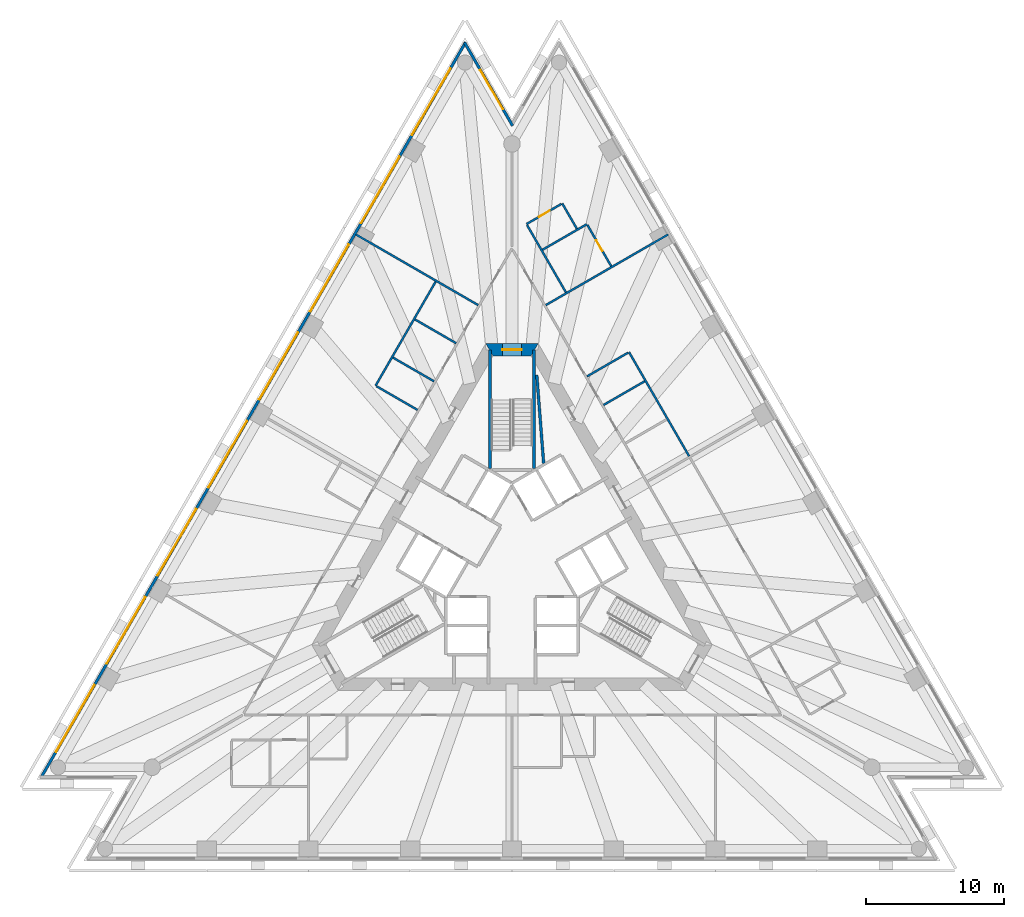
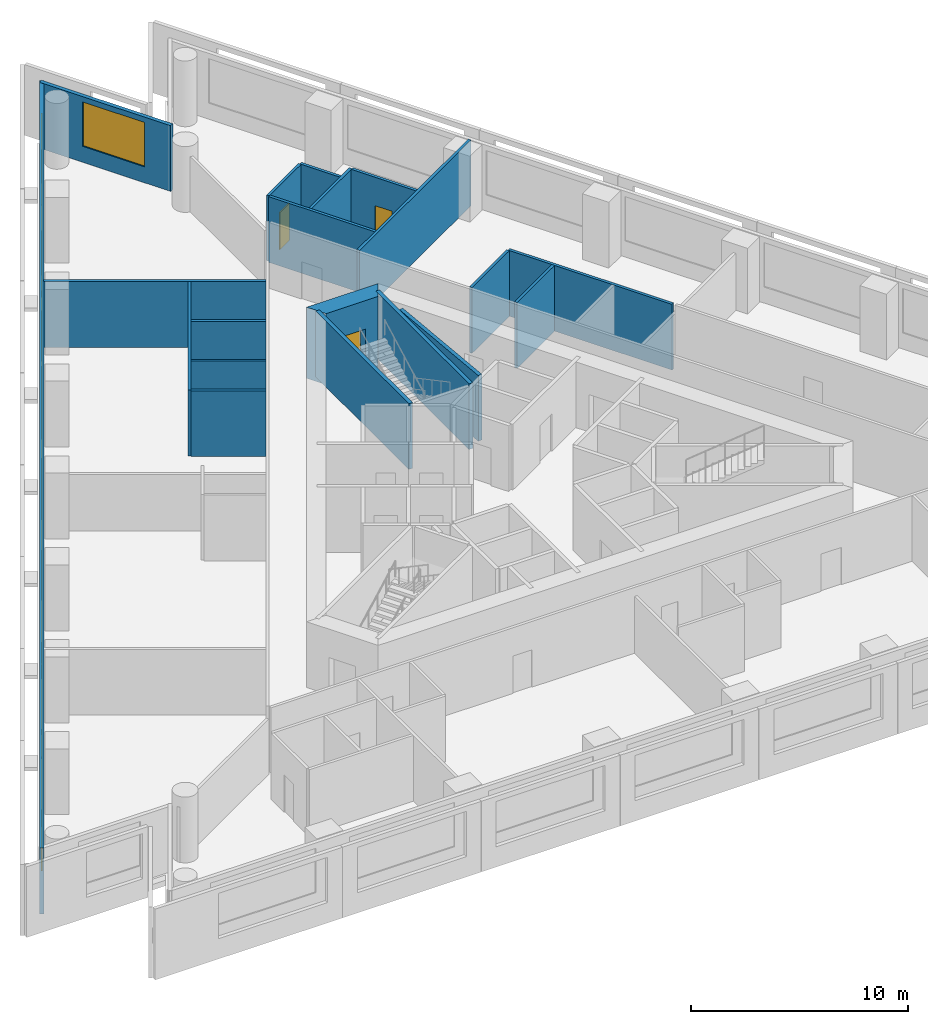
# One storey, part 7 of 11: 20 walls, 9 windows, 3 doors, 12 openings.
"""IFC4 building model written with IfcOpenShell, lengths in metres."""

from ifc_helpers import new_model, si_unit, direction, frame, frame_2d, origin, place, context, subcontext, project, spatial, polyline, rectangle, outline, extrude, material, layer, layer_set, layer_usage, type_object, element, fill, save


model = new_model("IFC4")

# Units and contexts
model_context = context("Model", 3, precision=1e-05, world=origin(), true_north=direction((0.0, 1.0)))
body_context = subcontext(model_context, "Body", "Model", "MODEL_VIEW")
ifc_project = project(units=[si_unit("LENGTHUNIT", "METRE"), si_unit("AREAUNIT", "SQUARE_METRE"), si_unit("VOLUMEUNIT", "CUBIC_METRE"), si_unit("PLANEANGLEUNIT", "RADIAN"), si_unit("MASSUNIT", "GRAM", prefix="KILO")], contexts=[model_context])

# Site, building, storey
site_placement = place(None, origin())
site = spatial("IfcSite", under=ifc_project, at=site_placement, CompositionType="ELEMENT")
building_placement = place(site_placement, origin())
building = spatial("IfcBuilding", under=site, at=building_placement, Name="Triada Interchange Tower", CompositionType="ELEMENT")
storey_placement = place(building_placement, frame((0.0, 0.0, 67.300048828125)))
storey = spatial("IfcBuildingStorey", under=building, at=storey_placement, Name="L14", CompositionType="ELEMENT", Elevation=67.300048828125)

# Walls
ifc_material_1 = material(Name="Concrete C30/37", Category="concrete")
ifc_layer_1 = layer(ifc_material_1, 0.199951171875)
ifc_layer_set_1 = layer_set([ifc_layer_1], Name="CORE WALL 200 EI 90")
wall_type_1 = type_object("IfcWallType", Name="CORE WALL 200 EI 90", PredefinedType="SOLIDWALL", material=ifc_layer_set_1)
wall_1_placement = place(storey_placement, frame((1.800048828125, 13.406005859375, 0.0), z_axis=(0.0, 0.0, 1.0), x_axis=(0.077809933421, -0.996968211259, 0.0)))
element("IfcWall", 1, at=wall_1_placement, inside=storey, type_object=wall_type_1, Name="Wall L12 86", PredefinedType="SOLIDWALL", context=body_context, shape_type="SweptSolid", body=[
    extrude(rectangle(XDim=6.4384765625, YDim=0.199951171875, at=frame_2d((3.21923828125, 0.0))), origin(), (0.0, 0.0, 1.0), 3.699951171875),
])
ifc_layer_2 = layer(ifc_material_1, 0.199951171875)
ifc_layer_set_2 = layer_set([ifc_layer_2], Name="CORE WALL 200 REI 240")
wall_type_2 = type_object("IfcWallType", Name="CORE WALL 200 REI 240", PredefinedType="SOLIDWALL", material=ifc_layer_set_2)
for number, where, z_axis, x_axis, name in (
    (2, (1.60009765625, 6.614990234375, 0.0), (0.0, 0.0, 1.0), (0.0, 1.0, 0.0), "Wall L12 90"),
    (3, (-1.60009765625, 6.614990234375, 0.0), (0.0, 0.0, 1.0), (0.0, 1.0, 0.0), "Wall L12 92"),
):
    element("IfcWall", number, at=place(storey_placement, frame(where, z_axis=z_axis, x_axis=x_axis)), inside=storey, type_object=wall_type_2, Name=name, PredefinedType="SOLIDWALL", context=body_context, shape_type="SweptSolid", body=[
        extrude(rectangle(XDim=8.614990234375, YDim=0.199951171875, at=frame_2d((4.3076171875, 0.0))), origin(), (0.0, 0.0, 1.0), 3.699951171875),
    ])

# Wall, opening, door
ifc_material_2 = material(Name="Concrete C70/85", Category="concrete")
ifc_layer_3 = layer(ifc_material_2, 0.89990234375)
ifc_layer_set_3 = layer_set([ifc_layer_3], Name="Core wall A 900")
wall_type_3 = type_object("IfcWallType", Name="Core wall A 900", PredefinedType="SHEAR", material=ifc_layer_set_3)
wall_2_placement = place(storey_placement, frame((1.64501953125, 15.25, -0.300048828125), z_axis=(0.0, 0.0, 1.0), x_axis=(-1.0, 0.0, 0.0)))
wall_2 = element("IfcWall", 4, at=wall_2_placement, inside=storey, type_object=wall_type_3, Name="Core wall WA01 L14", PredefinedType="SHEAR", context=body_context, shape_type="SweptSolid", body=[
    extrude(outline(polyline([(-0.260009765625, -0.449951171875), (1.64501953125, -0.449951171875), (3.550048828125, -0.449951171875), (3.031005859375, 0.449951171875), (1.64501953125, 0.449951171875), (0.259033203125, 0.449951171875), (-0.260009765625, -0.449951171875)])), origin(), (0.0, 0.0, 1.0), 4.0),
])
opening_1_placement = place(wall_2_placement, frame((0.945068359375, 0.0, 0.300048828125)))
opening_1 = element("IfcOpeningElement", 5, at=opening_1_placement, cuts=wall_2, Name="Opening D12-41", PredefinedType="OPENING", context=body_context, shape_type="SweptSolid", body=[
    extrude(rectangle(XDim=1.39990234375, YDim=2.10009765625, at=frame_2d((0.699951171875, 1.050048828125))), frame((0.0, 0.4599609375, 0.0), z_axis=(0.0, -1.0, 0.0), x_axis=(1.0, 0.0, 0.0)), (0.0, 0.0, 1.0), 0.919921875),
])
ifc_material_3 = material(Name="Steel S235 door leaf", Category="steel")
door_type_1 = type_object("IfcDoorType", Name="STAIR DOOR 1400 EI2 90-C5S200", OperationType="DOUBLE_DOOR_SINGLE_SWING", PredefinedType="DOOR", material=ifc_material_3)
door_1_placement = place(opening_1_placement, origin())
door_1 = element("IfcDoor", 6, at=door_1_placement, inside=storey, type_object=door_type_1, Name="Door D12-41 L14", OperationType="DOUBLE_DOOR_SINGLE_SWING", OverallHeight=2.10009765625, OverallWidth=1.39990234375, PredefinedType="DOOR", context=body_context, shape_type="SweptSolid", body=[
    extrude(rectangle(XDim=1.39990234375, YDim=2.10009765625, at=frame_2d((0.699951171875, 1.050048828125))), frame((0.0, 0.02490234375, 0.0), z_axis=(0.0, -1.0, 0.0), x_axis=(1.0, 0.0, 0.0)), (0.0, 0.0, 1.0), 0.050048828125),
])
fill(opening_1, door_1)

# Wall, openings, windows
ifc_material_4 = material(Name="Cement board")
ifc_layer_4 = layer(ifc_material_4, 0.02001953125, Name="Cement board cladding")
ifc_material_5 = material(Name="Sheathing board")
ifc_layer_5 = layer(ifc_material_5, 0.014892578125, Name="Sheathing board")
ifc_material_6 = material(Name="Mineral wool")
ifc_layer_6 = layer(ifc_material_6, 0.14990234375, Name="Mineral wool between steel studs")
ifc_material_7 = material(Name="Gypsum board")
ifc_layer_7 = layer(ifc_material_7, 0.014892578125, Name="Plasterboard lining")
ifc_layer_set_4 = layer_set([ifc_layer_4, ifc_layer_5, ifc_layer_6, ifc_layer_7], Name="External wall 200")
ifc_layer_usage = layer_usage(ifc_layer_set_4, "AXIS2", "POSITIVE", -0.10009765625)
wall_type_4 = type_object("IfcWallType", Name="External wall 200", PredefinedType="ELEMENTEDWALL", material=ifc_layer_set_4)
wall_3_placement = place(storey_placement, frame((-3.37109375, 37.591064453125, 0.0), z_axis=(0.0, 0.0, 1.0), x_axis=(-0.500006313899, -0.866021758423, 0.0)))
wall_3 = element("IfcWall", 7, at=wall_3_placement, inside=storey, type_object=wall_type_4, material=ifc_layer_usage, Name="External wall L14 NW", PredefinedType="ELEMENTEDWALL", context=body_context, shape_type="SweptSolid", body=[
    extrude(rectangle(XDim=61.718994140625, YDim=0.199951171875, at=frame_2d((30.859375, 0.0))), origin(), (0.0, 0.0, 1.0), 3.699951171875),
])
opening_2_placement = place(wall_3_placement, frame((2.197998046875, 0.0, 0.89990234375)))
opening_2 = element("IfcOpeningElement", 8, at=opening_2_placement, cuts=wall_3, Name="Opening WA01", PredefinedType="OPENING", context=body_context, shape_type="SweptSolid", body=[
    extrude(rectangle(XDim=5.60009765625, YDim=2.5, at=frame_2d((2.800048828125, 1.25))), frame((0.0, 0.10986328125, 0.0), z_axis=(0.0, -1.0, 0.0), x_axis=(1.0, 0.0, 0.0)), (0.0, 0.0, 1.0), 0.219970703125),
])
opening_3_placement = place(wall_3_placement, frame((9.590087890625, 0.0, 0.89990234375)))
opening_3 = element("IfcOpeningElement", 9, at=opening_3_placement, cuts=wall_3, Name="Opening WA02", PredefinedType="OPENING", context=body_context, shape_type="SweptSolid", body=[
    extrude(rectangle(XDim=5.60009765625, YDim=2.5, at=frame_2d((2.800048828125, 1.25))), frame((0.0, 0.10986328125, 0.0), z_axis=(0.0, -1.0, 0.0), x_axis=(1.0, 0.0, 0.0)), (0.0, 0.0, 1.0), 0.219970703125),
])
opening_4_placement = place(wall_3_placement, frame((16.98193359375, 0.0, 0.89990234375)))
opening_4 = element("IfcOpeningElement", 10, at=opening_4_placement, cuts=wall_3, Name="Opening WA03", PredefinedType="OPENING", context=body_context, shape_type="SweptSolid", body=[
    extrude(rectangle(XDim=5.60009765625, YDim=2.5, at=frame_2d((2.800048828125, 1.25))), frame((0.0, 0.10986328125, 0.0), z_axis=(0.0, -1.0, 0.0), x_axis=(1.0, 0.0, 0.0)), (0.0, 0.0, 1.0), 0.219970703125),
])
opening_5_placement = place(wall_3_placement, frame((24.373046875, 0.0, 0.89990234375)))
opening_5 = element("IfcOpeningElement", 11, at=opening_5_placement, cuts=wall_3, Name="Opening WA04", PredefinedType="OPENING", context=body_context, shape_type="SweptSolid", body=[
    extrude(rectangle(XDim=5.60009765625, YDim=2.5, at=frame_2d((2.800048828125, 1.25))), frame((0.0, 0.10986328125, 0.0), z_axis=(0.0, -1.0, 0.0), x_axis=(1.0, 0.0, 0.0)), (0.0, 0.0, 1.0), 0.219970703125),
])
opening_6_placement = place(wall_3_placement, frame((31.764892578125, 0.0, 0.89990234375)))
opening_6 = element("IfcOpeningElement", 12, at=opening_6_placement, cuts=wall_3, Name="Opening WA05", PredefinedType="OPENING", context=body_context, shape_type="SweptSolid", body=[
    extrude(rectangle(XDim=5.60009765625, YDim=2.5, at=frame_2d((2.800048828125, 1.25))), frame((0.0, 0.10986328125, 0.0), z_axis=(0.0, -1.0, 0.0), x_axis=(1.0, 0.0, 0.0)), (0.0, 0.0, 1.0), 0.219970703125),
])
opening_7_placement = place(wall_3_placement, frame((39.156982421875, 0.0, 0.89990234375)))
opening_7 = element("IfcOpeningElement", 13, at=opening_7_placement, cuts=wall_3, Name="Opening WA06", PredefinedType="OPENING", context=body_context, shape_type="SweptSolid", body=[
    extrude(rectangle(XDim=5.60009765625, YDim=2.5, at=frame_2d((2.800048828125, 1.25))), frame((0.0, 0.10986328125, 0.0), z_axis=(0.0, -1.0, 0.0), x_axis=(1.0, 0.0, 0.0)), (0.0, 0.0, 1.0), 0.219970703125),
])
opening_8_placement = place(wall_3_placement, frame((46.548095703125, 0.0, 0.89990234375)))
opening_8 = element("IfcOpeningElement", 14, at=opening_8_placement, cuts=wall_3, Name="Opening WA07", PredefinedType="OPENING", context=body_context, shape_type="SweptSolid", body=[
    extrude(rectangle(XDim=5.60009765625, YDim=2.5, at=frame_2d((2.800048828125, 1.25))), frame((0.0, 0.10986328125, 0.0), z_axis=(0.0, -1.0, 0.0), x_axis=(1.0, 0.0, 0.0)), (0.0, 0.0, 1.0), 0.219970703125),
])
opening_9_placement = place(wall_3_placement, frame((53.93994140625, 0.0, 0.89990234375)))
opening_9 = element("IfcOpeningElement", 15, at=opening_9_placement, cuts=wall_3, Name="Opening WA08", PredefinedType="OPENING", context=body_context, shape_type="SweptSolid", body=[
    extrude(rectangle(XDim=5.60009765625, YDim=2.5, at=frame_2d((2.800048828125, 1.25))), frame((0.0, 0.10986328125, 0.0), z_axis=(0.0, -1.0, 0.0), x_axis=(1.0, 0.0, 0.0)), (0.0, 0.0, 1.0), 0.219970703125),
])
ifc_material_8 = material(Name="Double glazed aluminium window", Category="aluminium")
window_type_1 = type_object("IfcWindowType", Name="Ribbon window A face", PartitioningType="SINGLE_PANEL", PredefinedType="WINDOW", material=ifc_material_8)
window_1_placement = place(opening_2_placement, origin())
window_1 = element("IfcWindow", 16, at=window_1_placement, inside=storey, type_object=window_type_1, Name="Window L14 NW 1", OverallHeight=2.5, OverallWidth=5.60009765625, PartitioningType="SINGLE_PANEL", PredefinedType="WINDOW", context=body_context, shape_type="SweptSolid", body=[
    extrude(rectangle(XDim=5.60009765625, YDim=2.5, at=frame_2d((2.800048828125, 1.25))), frame((0.0, 0.030029296875, 0.0), z_axis=(0.0, -1.0, 0.0), x_axis=(1.0, 0.0, 0.0)), (0.0, 0.0, 1.0), 0.06005859375),
])
fill(opening_2, window_1)
window_2_placement = place(opening_3_placement, origin())
window_2 = element("IfcWindow", 17, at=window_2_placement, inside=storey, type_object=window_type_1, Name="Window L14 NW 2", OverallHeight=2.5, OverallWidth=5.60009765625, PartitioningType="SINGLE_PANEL", PredefinedType="WINDOW", context=body_context, shape_type="SweptSolid", body=[
    extrude(rectangle(XDim=5.60009765625, YDim=2.5, at=frame_2d((2.800048828125, 1.25))), frame((0.0, 0.030029296875, 0.0), z_axis=(0.0, -1.0, 0.0), x_axis=(1.0, 0.0, 0.0)), (0.0, 0.0, 1.0), 0.06005859375),
])
fill(opening_3, window_2)
window_3_placement = place(opening_4_placement, origin())
window_3 = element("IfcWindow", 18, at=window_3_placement, inside=storey, type_object=window_type_1, Name="Window L14 NW 3", OverallHeight=2.5, OverallWidth=5.60009765625, PartitioningType="SINGLE_PANEL", PredefinedType="WINDOW", context=body_context, shape_type="SweptSolid", body=[
    extrude(rectangle(XDim=5.60009765625, YDim=2.5, at=frame_2d((2.800048828125, 1.25))), frame((0.0, 0.030029296875, 0.0), z_axis=(0.0, -1.0, 0.0), x_axis=(1.0, 0.0, 0.0)), (0.0, 0.0, 1.0), 0.06005859375),
])
fill(opening_4, window_3)
window_4_placement = place(opening_5_placement, origin())
window_4 = element("IfcWindow", 19, at=window_4_placement, inside=storey, type_object=window_type_1, Name="Window L14 NW 4", OverallHeight=2.5, OverallWidth=5.60009765625, PartitioningType="SINGLE_PANEL", PredefinedType="WINDOW", context=body_context, shape_type="SweptSolid", body=[
    extrude(rectangle(XDim=5.60009765625, YDim=2.5, at=frame_2d((2.800048828125, 1.25))), frame((0.0, 0.030029296875, 0.0), z_axis=(0.0, -1.0, 0.0), x_axis=(1.0, 0.0, 0.0)), (0.0, 0.0, 1.0), 0.06005859375),
])
fill(opening_5, window_4)
window_5_placement = place(opening_6_placement, origin())
window_5 = element("IfcWindow", 20, at=window_5_placement, inside=storey, type_object=window_type_1, Name="Window L14 NW 5", OverallHeight=2.5, OverallWidth=5.60009765625, PartitioningType="SINGLE_PANEL", PredefinedType="WINDOW", context=body_context, shape_type="SweptSolid", body=[
    extrude(rectangle(XDim=5.60009765625, YDim=2.5, at=frame_2d((2.800048828125, 1.25))), frame((0.0, 0.030029296875, 0.0), z_axis=(0.0, -1.0, 0.0), x_axis=(1.0, 0.0, 0.0)), (0.0, 0.0, 1.0), 0.06005859375),
])
fill(opening_6, window_5)
window_6_placement = place(opening_7_placement, origin())
window_6 = element("IfcWindow", 21, at=window_6_placement, inside=storey, type_object=window_type_1, Name="Window L14 NW 6", OverallHeight=2.5, OverallWidth=5.60009765625, PartitioningType="SINGLE_PANEL", PredefinedType="WINDOW", context=body_context, shape_type="SweptSolid", body=[
    extrude(rectangle(XDim=5.60009765625, YDim=2.5, at=frame_2d((2.800048828125, 1.25))), frame((0.0, 0.030029296875, 0.0), z_axis=(0.0, -1.0, 0.0), x_axis=(1.0, 0.0, 0.0)), (0.0, 0.0, 1.0), 0.06005859375),
])
fill(opening_7, window_6)
window_7_placement = place(opening_8_placement, origin())
window_7 = element("IfcWindow", 22, at=window_7_placement, inside=storey, type_object=window_type_1, Name="Window L14 NW 7", OverallHeight=2.5, OverallWidth=5.60009765625, PartitioningType="SINGLE_PANEL", PredefinedType="WINDOW", context=body_context, shape_type="SweptSolid", body=[
    extrude(rectangle(XDim=5.60009765625, YDim=2.5, at=frame_2d((2.800048828125, 1.25))), frame((0.0, 0.030029296875, 0.0), z_axis=(0.0, -1.0, 0.0), x_axis=(1.0, 0.0, 0.0)), (0.0, 0.0, 1.0), 0.06005859375),
])
fill(opening_8, window_7)
window_8_placement = place(opening_9_placement, origin())
window_8 = element("IfcWindow", 23, at=window_8_placement, inside=storey, type_object=window_type_1, Name="Window L14 NW 8", OverallHeight=2.5, OverallWidth=5.60009765625, PartitioningType="SINGLE_PANEL", PredefinedType="WINDOW", context=body_context, shape_type="SweptSolid", body=[
    extrude(rectangle(XDim=5.60009765625, YDim=2.5, at=frame_2d((2.800048828125, 1.25))), frame((0.0, 0.030029296875, 0.0), z_axis=(0.0, -1.0, 0.0), x_axis=(1.0, 0.0, 0.0)), (0.0, 0.0, 1.0), 0.06005859375),
])
fill(opening_9, window_8)

# Wall, opening, window
wall_4_placement = place(storey_placement, frame((0.044921875, 31.51806640625, 0.0), z_axis=(0.0, 0.0, 1.0), x_axis=(-0.499943085557, 0.86605826086, 0.0)))
wall_4 = element("IfcWall", 24, at=wall_4_placement, inside=storey, type_object=wall_type_4, material=ifc_layer_usage, Name="External wall L14 N-2", PredefinedType="ELEMENTEDWALL", context=body_context, shape_type="SweptSolid", body=[
    extrude(rectangle(XDim=6.992431640625, YDim=0.199951171875, at=frame_2d((3.49609375, 0.0))), origin(), (0.0, 0.0, 1.0), 3.699951171875),
])
opening_10_placement = place(wall_4_placement, frame((1.389892578125, 0.0, 0.89990234375)))
opening_10 = element("IfcOpeningElement", 25, at=opening_10_placement, cuts=wall_4, Name="Opening WA30", PredefinedType="OPENING", context=body_context, shape_type="SweptSolid", body=[
    extrude(rectangle(XDim=3.300048828125, YDim=2.5, at=frame_2d((1.64990234375, 1.25))), frame((0.0, 0.10986328125, 0.0), z_axis=(0.0, -1.0, 0.0), x_axis=(1.0, 0.0, 0.0)), (0.0, 0.0, 1.0), 0.219970703125),
])
window_type_2 = type_object("IfcWindowType", Name="Ribbon window A pocket", PartitioningType="SINGLE_PANEL", PredefinedType="WINDOW", material=ifc_material_8)
window_9_placement = place(opening_10_placement, origin())
window_9 = element("IfcWindow", 26, at=window_9_placement, inside=storey, type_object=window_type_2, Name="Window L14 N-2 1", OverallHeight=2.5, OverallWidth=3.300048828125, PartitioningType="SINGLE_PANEL", PredefinedType="WINDOW", context=body_context, shape_type="SweptSolid", body=[
    extrude(rectangle(XDim=3.300048828125, YDim=2.5, at=frame_2d((1.64990234375, 1.25))), frame((0.0, 0.030029296875, 0.0), z_axis=(0.0, -1.0, 0.0), x_axis=(1.0, 0.0, 0.0)), (0.0, 0.0, 1.0), 0.06005859375),
])
fill(opening_10, window_9)

# Walls
ifc_material_9 = material(Name="Gypsum board partition")
ifc_layer_8 = layer(ifc_material_9, 0.14990234375)
ifc_layer_set_5 = layer_set([ifc_layer_8], Name="PARTITION 150 EI 180")
wall_type_5 = type_object("IfcWallType", Name="PARTITION 150 EI 180", PredefinedType="PARTITIONING", material=ifc_layer_set_5)
wall_5_placement = place(storey_placement, frame((-11.344970703125, 23.6201171875, 0.0), z_axis=(0.0, 0.0, 1.0), x_axis=(0.866010033384, -0.500026621369, 0.0)))
element("IfcWall", 27, at=wall_5_placement, inside=storey, type_object=wall_type_5, Name="Wall L12 13", PredefinedType="PARTITIONING", context=body_context, shape_type="SweptSolid", body=[
    extrude(rectangle(XDim=10.259765625, YDim=0.14990234375, at=frame_2d((5.1298828125, 0.0))), origin(), (0.0, 0.0, 1.0), 3.699951171875),
])
wall_6_placement = place(storey_placement, frame((-9.912109375, 12.631103515625, 0.0), z_axis=(0.0, 0.0, 1.0), x_axis=(0.49992187278, 0.866070505857, 0.0)))
element("IfcWall", 28, at=wall_6_placement, inside=storey, type_object=wall_type_5, Name="Wall L12 14", PredefinedType="PARTITIONING", context=body_context, shape_type="SweptSolid", body=[
    extrude(rectangle(XDim=8.7255859375, YDim=0.14990234375, at=frame_2d((4.36279296875, 0.0))), origin(), (0.0, 0.0, 1.0), 3.699951171875),
])
wall_7_placement = place(storey_placement, frame((-9.846923828125, 12.593994140625, 0.0), z_axis=(0.0, 0.0, 1.0), x_axis=(0.865942736565, -0.500143156496, 0.0)))
element("IfcWall", 29, at=wall_7_placement, inside=storey, type_object=wall_type_5, Name="Wall L12 15", PredefinedType="PARTITIONING", context=body_context, shape_type="SweptSolid", body=[
    extrude(rectangle(XDim=3.44921875, YDim=0.14990234375, at=frame_2d((1.724609375, 0.0))), origin(), (0.0, 0.0, 1.0), 3.699951171875),
])
for number, where, z_axis, x_axis, name in (
    (30, (-8.64697265625, 14.672119140625, 0.0), (0.0, 0.0, 1.0), (0.865960440485, -0.500112502858, 0.0), "Wall L12 16"),
    (31, (-7.047119140625, 17.444091796875, 0.0), (0.0, 0.0, 1.0), (0.865960440485, -0.500112502858, 0.0), "Wall L12 17"),
):
    element("IfcWall", number, at=place(storey_placement, frame(where, z_axis=z_axis, x_axis=x_axis)), inside=storey, type_object=wall_type_5, Name=name, PredefinedType="PARTITIONING", context=body_context, shape_type="SweptSolid", body=[
        extrude(rectangle(XDim=3.449462890625, YDim=0.14990234375, at=frame_2d((1.724609375, 0.0))), origin(), (0.0, 0.0, 1.0), 3.699951171875),
    ])
wall_8_placement = place(storey_placement, frame((2.4599609375, 18.489990234375, 0.0), z_axis=(0.0, 0.0, 1.0), x_axis=(0.866010033384, 0.500026621369, 0.0)))
element("IfcWall", 32, at=wall_8_placement, inside=storey, type_object=wall_type_5, Name="Wall L12 23", PredefinedType="PARTITIONING", context=body_context, shape_type="SweptSolid", body=[
    extrude(rectangle(XDim=10.259765625, YDim=0.14990234375, at=frame_2d((5.1298828125, 0.0))), origin(), (0.0, 0.0, 1.0), 3.699951171875),
])
wall_9_placement = place(storey_placement, frame((8.50390625, 15.070068359375, 0.0), z_axis=(0.0, 0.0, 1.0), x_axis=(0.500042162787, -0.86600105972, 0.0)))
element("IfcWall", 33, at=wall_9_placement, inside=storey, type_object=wall_type_5, Name="Wall L12 26", PredefinedType="PARTITIONING", context=body_context, shape_type="SweptSolid", body=[
    extrude(rectangle(XDim=8.725341796875, YDim=0.14990234375, at=frame_2d((4.36279296875, 0.0))), origin(), (0.0, 0.0, 1.0), 3.699951171875),
])
for number, where, z_axis, x_axis, name in (
    (34, (5.450927734375, 13.30810546875, 0.0), (0.0, 0.0, 1.0), (0.866061862632, 0.499936846106, 0.0), "Wall L12 27"),
    (35, (6.65087890625, 11.22900390625, 0.0), (0.0, 0.0, 1.0), (0.866031223622, 0.49998991961, 0.0), "Wall L12 28"),
):
    element("IfcWall", number, at=place(storey_placement, frame(where, z_axis=z_axis, x_axis=x_axis)), inside=storey, type_object=wall_type_5, Name=name, PredefinedType="PARTITIONING", context=body_context, shape_type="SweptSolid", body=[
        extrude(rectangle(XDim=3.4501953125, YDim=0.14990234375, at=frame_2d((1.72509765625, 0.0))), origin(), (0.0, 0.0, 1.0), 3.699951171875),
    ])
ifc_layer_9 = layer(ifc_material_9, 0.14990234375)
ifc_layer_set_6 = layer_set([ifc_layer_9], Name="PARTITION 150 EI 90")
wall_type_6 = type_object("IfcWallType", Name="PARTITION 150 EI 90", PredefinedType="PARTITIONING", material=ifc_layer_set_6)
wall_10_placement = place(storey_placement, frame((2.218017578125, 22.508056640625, 0.0), z_axis=(0.0, 0.0, 1.0), x_axis=(0.866085180849, 0.499896448792, 0.0)))
element("IfcWall", 36, at=wall_10_placement, inside=storey, type_object=wall_type_6, Name="Wall L12 36", PredefinedType="PARTITIONING", context=body_context, shape_type="SweptSolid", body=[
    extrude(rectangle(XDim=3.724853515625, YDim=0.14990234375, at=frame_2d((1.8623046875, 0.0))), origin(), (0.0, 0.0, 1.0), 3.699951171875),
])
wall_11_placement = place(storey_placement, frame((3.65087890625, 25.875, 0.0), z_axis=(0.0, 0.0, 1.0), x_axis=(0.500302479123, -0.865850696935, 0.0)))
element("IfcWall", 37, at=wall_11_placement, inside=storey, type_object=wall_type_6, Name="Wall L12 37", PredefinedType="PARTITIONING", context=body_context, shape_type="SweptSolid", body=[
    extrude(rectangle(XDim=2.125244140625, YDim=0.14990234375, at=frame_2d((1.0625, 0.0))), origin(), (0.0, 0.0, 1.0), 3.699951171875),
])

# Wall, opening, door
wall_12_placement = place(storey_placement, frame((1.052978515625, 24.375, 0.0), z_axis=(0.0, 0.0, 1.0), x_axis=(0.866036909293, 0.499980071345, 0.0)))
wall_12 = element("IfcWall", 38, at=wall_12_placement, inside=storey, type_object=wall_type_6, Name="Wall L12 39", PredefinedType="PARTITIONING", context=body_context, shape_type="SweptSolid", body=[
    extrude(rectangle(XDim=2.92578125, YDim=0.14990234375, at=frame_2d((1.462890625, 0.0))), origin(), (0.0, 0.0, 1.0), 3.699951171875),
])
opening_11_placement = place(wall_12_placement, frame((1.051025390625, 0.0, 0.0)))
opening_11 = element("IfcOpeningElement", 39, at=opening_11_placement, cuts=wall_12, Name="Opening D12-31", PredefinedType="OPENING", context=body_context, shape_type="SweptSolid", body=[
    extrude(rectangle(XDim=0.89990234375, YDim=2.10009765625, at=frame_2d((0.449951171875, 1.050048828125))), frame((0.0, 0.0849609375, 0.0), z_axis=(0.0, -1.0, 0.0), x_axis=(1.0, 0.0, 0.0)), (0.0, 0.0, 1.0), 0.169921875),
])
door_type_2 = type_object("IfcDoorType", Name="SERVICE DOOR 900 EI2 45-C5S200", OperationType="NOTDEFINED", PredefinedType="DOOR", material=ifc_material_3)
door_2_placement = place(opening_11_placement, origin())
door_2 = element("IfcDoor", 40, at=door_2_placement, inside=storey, type_object=door_type_2, Name="Door D12-31 L14", OperationType="SINGLE_SWING_RIGHT", OverallHeight=2.10009765625, OverallWidth=0.89990234375, PredefinedType="DOOR", context=body_context, shape_type="SweptSolid", body=[
    extrude(rectangle(XDim=0.89990234375, YDim=2.10009765625, at=frame_2d((0.449951171875, 1.050048828125))), frame((0.0, 0.02490234375, 0.0), z_axis=(0.0, -1.0, 0.0), x_axis=(1.0, 0.0, 0.0)), (0.0, 0.0, 1.0), 0.050048828125),
])
fill(opening_11, door_2)

# Wall
wall_13_placement = place(storey_placement, frame((1.091064453125, 24.31005859375, 0.0), z_axis=(0.0, 0.0, 1.0), x_axis=(0.499991765245, -0.86603015807, 0.0)))
element("IfcWall", 41, at=wall_13_placement, inside=storey, type_object=wall_type_6, Name="Wall L12 40", PredefinedType="PARTITIONING", context=body_context, shape_type="SweptSolid", body=[
    extrude(rectangle(XDim=5.64990234375, YDim=0.14990234375, at=frame_2d((2.824951171875, 0.0))), origin(), (0.0, 0.0, 1.0), 3.699951171875),
])

# Wall, opening, door
wall_14_placement = place(storey_placement, frame((5.48193359375, 24.304931640625, 0.0), z_axis=(0.0, 0.0, 1.0), x_axis=(0.49998991961, -0.866031223622, 0.0)))
wall_14 = element("IfcWall", 42, at=wall_14_placement, inside=storey, type_object=wall_type_6, Name="Wall L12 42", PredefinedType="PARTITIONING", context=body_context, shape_type="SweptSolid", body=[
    extrude(rectangle(XDim=3.4501953125, YDim=0.14990234375, at=frame_2d((1.72509765625, 0.0))), origin(), (0.0, 0.0, 1.0), 3.699951171875),
])
opening_12_placement = place(wall_14_placement, frame((1.27490234375, 0.0, 0.0)))
opening_12 = element("IfcOpeningElement", 43, at=opening_12_placement, cuts=wall_14, Name="Opening D12-30", PredefinedType="OPENING", context=body_context, shape_type="SweptSolid", body=[
    extrude(rectangle(XDim=0.89990234375, YDim=2.10009765625, at=frame_2d((0.449951171875, 1.050048828125))), frame((0.0, 0.0849609375, 0.0), z_axis=(0.0, -1.0, 0.0), x_axis=(1.0, 0.0, 0.0)), (0.0, 0.0, 1.0), 0.169921875),
])
door_type_3 = type_object("IfcDoorType", Name="ROOM DOOR 900 EI2 45-C5S200", OperationType="NOTDEFINED", PredefinedType="DOOR", material=ifc_material_3)
door_3_placement = place(opening_12_placement, origin())
door_3 = element("IfcDoor", 44, at=door_3_placement, inside=storey, type_object=door_type_3, Name="Door D12-30 L14", OperationType="SINGLE_SWING_LEFT", OverallHeight=2.10009765625, OverallWidth=0.89990234375, PredefinedType="DOOR", context=body_context, shape_type="SweptSolid", body=[
    extrude(rectangle(XDim=0.89990234375, YDim=2.10009765625, at=frame_2d((0.449951171875, 1.050048828125))), frame((0.0, 0.02490234375, 0.0), z_axis=(0.0, -1.0, 0.0), x_axis=(1.0, 0.0, 0.0)), (0.0, 0.0, 1.0), 0.050048828125),
])
fill(opening_12, door_3)

save(model, "model.ifc")
